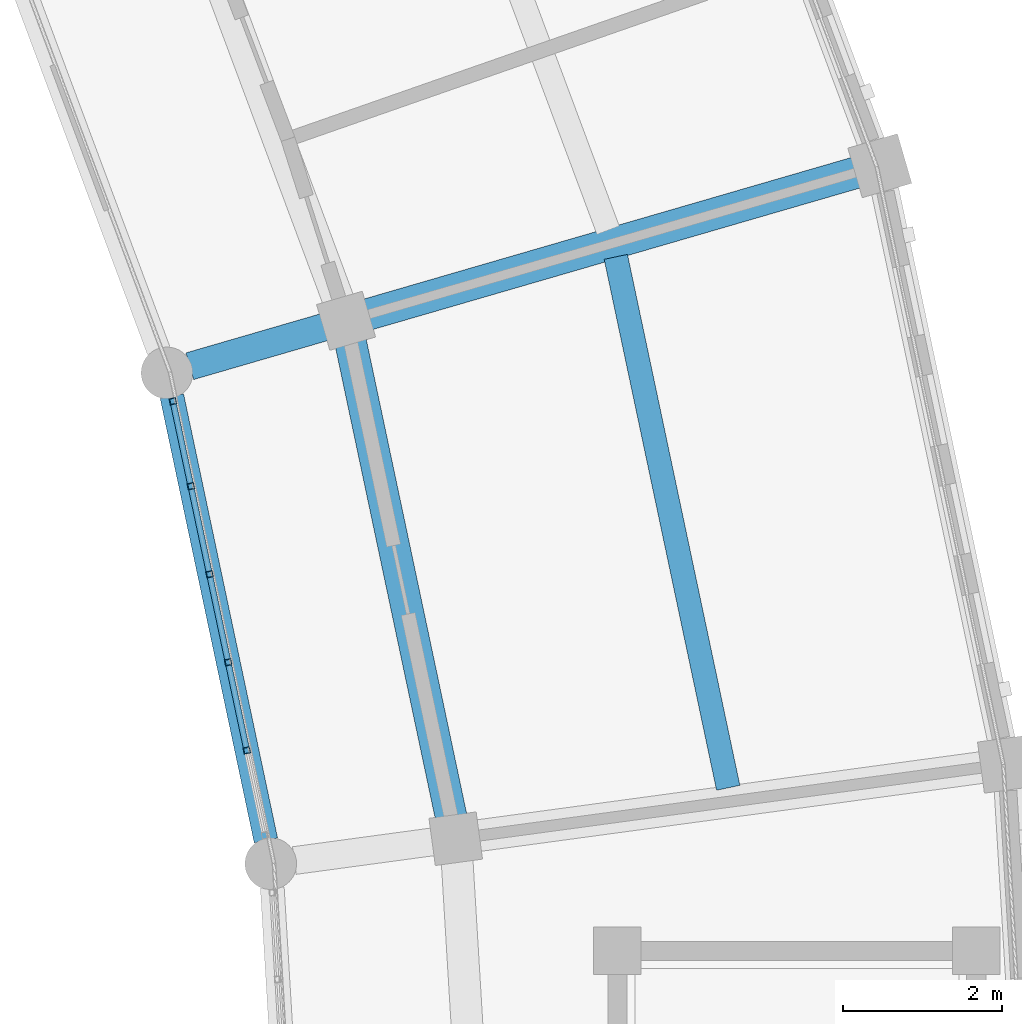
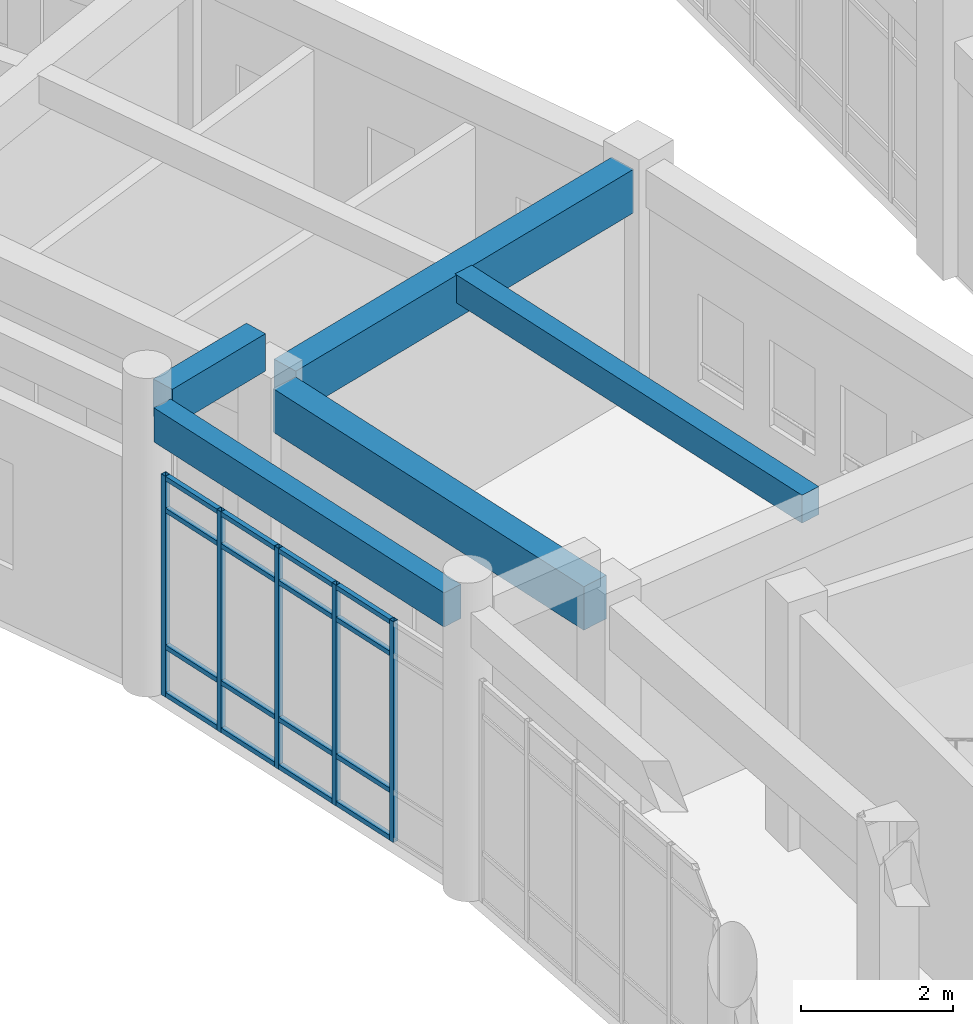
# One storey, part 89 of 159: 21 members, 5 beams, 1 element without a shape of its own.
"""IFC4 building model written with IfcOpenShell, lengths in metres."""

from ifc_helpers import new_model, si_unit, direction, frame, origin, origin_2d, place, context, subcontext, project, spatial, rectangle, hollow_rectangle, extrude, material, material_profile, profile_set, type_object, element, aggregate, save


model = new_model("IFC4")

# Units and contexts
model_context = context("Model", 3, precision=1e-05, world=origin(), true_north=direction((0.0, 1.0)))
body_context = subcontext(model_context, "Body", "Model", "MODEL_VIEW")
ifc_project = project(units=[si_unit("LENGTHUNIT", "METRE"), si_unit("AREAUNIT", "SQUARE_METRE"), si_unit("VOLUMEUNIT", "CUBIC_METRE"), si_unit("PLANEANGLEUNIT", "RADIAN"), si_unit("MASSUNIT", "GRAM", prefix="KILO")], contexts=[model_context])

# Site, building, storey
site_placement = place(None, origin())
site = spatial("IfcSite", under=ifc_project, at=site_placement, CompositionType="ELEMENT")
building_placement = place(site_placement, origin())
building = spatial("IfcBuilding", under=site, at=building_placement, Name="Celadon Cloister-Ring School", CompositionType="ELEMENT")
storey_placement = place(building_placement, frame((0.0, 0.0, 4.5)))
storey = spatial("IfcBuildingStorey", under=building, at=storey_placement, Name="L01", CompositionType="ELEMENT", Elevation=4.5)

# Beam
ifc_material_1 = material(Name="Concrete C35/45", Category="concrete")
ifc_material_profile_1 = material_profile(ifc_material_1, rectangle(XDim=0.35009765625, YDim=0.60009765625, at=origin_2d()), Name="RC350X600")
ifc_profile_set_1 = profile_set([ifc_material_profile_1], Name="Concrete C35/45")
beam_type_1 = type_object("IfcBeamType", Name="BT-02", PredefinedType="BEAM", material=ifc_profile_set_1)
beam_1_placement = place(storey_placement, frame((129.948974609375, 71.47802734375, 4.35009765625), z_axis=(-0.960278457091, -0.279043517836, 0.0), x_axis=(0.279043517836, -0.960278457091, 0.0)))
element("IfcBeam", 1, at=beam_1_placement, inside=storey, type_object=beam_type_1, Name="Beam 0256", PredefinedType="BEAM", context=body_context, shape_type="SweptSolid", body=[
    extrude(rectangle(XDim=0.35009765625, YDim=0.60009765625, at=origin_2d()), origin(), (0.0, 0.0, 1.0), 1.7744140625),
])

# Curtain wall, members
ifc_material_2 = material(Name="Aluminium EN AW-6063 T6", Category="aluminium")
curtain_wall_type = type_object("IfcCurtainWallType", Name="CW-01", PredefinedType="USERDEFINED", material=ifc_material_2)
curtain_wall_placement = place(storey_placement, origin())
curtain_wall = element("IfcCurtainWall", 2, at=curtain_wall_placement, inside=storey, type_object=curtain_wall_type, Name="Curtain Wall 0040", ObjectType="CURTAIN WALL", PredefinedType="USERDEFINED")
ifc_material_3 = material(Name="Aluminium EN AW-6063 T6", Category="aluminium")
ifc_material_profile_2 = material_profile(ifc_material_3, hollow_rectangle(XDim=0.080078125, YDim=0.080078125, WallThickness=0.00390625, at=origin_2d()), Name="RHS80X80X4")
ifc_profile_set_2 = profile_set([ifc_material_profile_2], Name="Aluminium EN AW-6063 T6")
member_type_1 = type_object("IfcMemberType", Name="CM-03", PredefinedType="MULLION", material=ifc_profile_set_2)
member_1_placement = place(storey_placement, frame((128.963134765625, 66.144287109375, 0.0), z_axis=(0.0, 0.0, 1.0), x_axis=(-0.978320844999, -0.207094964304, 0.0)))
member_1 = element("IfcMember", 3, at=member_1_placement, type_object=member_type_1, Name="CW-01 mullion 2", PredefinedType="MULLION", context=body_context, shape_type="SweptSolid", body=[
    extrude(hollow_rectangle(XDim=0.080078125, YDim=0.080078125, WallThickness=0.00390625, at=origin_2d()), origin(), (0.0, 0.0, 1.0), 3.550048828125),
])
member_2_placement = place(storey_placement, frame((128.728515625, 67.25341796875, 0.0), z_axis=(0.0, 0.0, 1.0), x_axis=(-0.978320844999, -0.207094964304, 0.0)))
member_2 = element("IfcMember", 4, at=member_2_placement, type_object=member_type_1, Name="CW-01 mullion 3", PredefinedType="MULLION", context=body_context, shape_type="SweptSolid", body=[
    extrude(hollow_rectangle(XDim=0.080078125, YDim=0.080078125, WallThickness=0.00390625, at=origin_2d()), origin(), (0.0, 0.0, 1.0), 3.550048828125),
])
member_3_placement = place(storey_placement, frame((128.49365234375, 68.362548828125, 0.0), z_axis=(0.0, 0.0, 1.0), x_axis=(-0.978320844999, -0.207094964304, 0.0)))
member_3 = element("IfcMember", 5, at=member_3_placement, type_object=member_type_1, Name="CW-01 mullion 4", PredefinedType="MULLION", context=body_context, shape_type="SweptSolid", body=[
    extrude(hollow_rectangle(XDim=0.080078125, YDim=0.080078125, WallThickness=0.00390625, at=origin_2d()), origin(), (0.0, 0.0, 1.0), 3.550048828125),
])
member_4_placement = place(storey_placement, frame((128.2587890625, 69.4716796875, 0.0), z_axis=(0.0, 0.0, 1.0), x_axis=(-0.978320844999, -0.207094964304, 0.0)))
member_4 = element("IfcMember", 6, at=member_4_placement, type_object=member_type_1, Name="CW-01 mullion 5", PredefinedType="MULLION", context=body_context, shape_type="SweptSolid", body=[
    extrude(hollow_rectangle(XDim=0.080078125, YDim=0.080078125, WallThickness=0.00390625, at=origin_2d()), origin(), (0.0, 0.0, 1.0), 3.550048828125),
])
member_5_placement = place(storey_placement, frame((128.0322265625, 70.541748046875, 0.0), z_axis=(0.0, 0.0, 1.0), x_axis=(-0.978320844999, -0.207094964304, 0.0)))
member_5 = element("IfcMember", 7, at=member_5_placement, type_object=member_type_1, Name="CW-01 mullion 6", PredefinedType="MULLION", context=body_context, shape_type="SweptSolid", body=[
    extrude(hollow_rectangle(XDim=0.080078125, YDim=0.080078125, WallThickness=0.00390625, at=origin_2d()), origin(), (0.0, 0.0, 1.0), 3.550048828125),
])
ifc_material_4 = material(Name="Aluminium EN AW-6063 T6", Category="aluminium")
ifc_material_profile_3 = material_profile(ifc_material_4, hollow_rectangle(XDim=0.074951171875, YDim=0.074951171875, WallThickness=0.00390625, at=origin_2d()), Name="RHS75X75X4")
ifc_profile_set_3 = profile_set([ifc_material_profile_3], Name="Aluminium EN AW-6063 T6")
member_type_2 = type_object("IfcMemberType", Name="CTM-03", PredefinedType="USERDEFINED", material=ifc_profile_set_3)
member_6_placement = place(storey_placement, frame((128.954833984375, 66.183349609375, 0.03759765625), z_axis=(-0.207107837816, 0.978318119793, 0.0), x_axis=(-0.978318119793, -0.207107837816, 0.0)))
member_6 = element("IfcMember", 8, at=member_6_placement, type_object=member_type_2, Name="CW-01 transom 2.1", ObjectType="TRANSOM", PredefinedType="USERDEFINED", context=body_context, shape_type="SweptSolid", body=[
    extrude(hollow_rectangle(XDim=0.074951171875, YDim=0.074951171875, WallThickness=0.00390625, at=origin_2d()), origin(), (0.0, 0.0, 1.0), 1.053955078125),
])
member_7_placement = place(storey_placement, frame((128.954833984375, 66.183349609375, 0.800048828125), z_axis=(-0.207107837816, 0.978318119793, 0.0), x_axis=(-0.978318119793, -0.207107837816, 0.0)))
member_7 = element("IfcMember", 9, at=member_7_placement, type_object=member_type_2, Name="CW-01 transom 2.2", ObjectType="TRANSOM", PredefinedType="USERDEFINED", context=body_context, shape_type="SweptSolid", body=[
    extrude(hollow_rectangle(XDim=0.074951171875, YDim=0.074951171875, WallThickness=0.00390625, at=origin_2d()), origin(), (0.0, 0.0, 1.0), 1.053955078125),
])
member_8_placement = place(storey_placement, frame((128.954833984375, 66.183349609375, 3.0), z_axis=(-0.207107837816, 0.978318119793, 0.0), x_axis=(-0.978318119793, -0.207107837816, 0.0)))
member_8 = element("IfcMember", 10, at=member_8_placement, type_object=member_type_2, Name="CW-01 transom 2.3", ObjectType="TRANSOM", PredefinedType="USERDEFINED", context=body_context, shape_type="SweptSolid", body=[
    extrude(hollow_rectangle(XDim=0.074951171875, YDim=0.074951171875, WallThickness=0.00390625, at=origin_2d()), origin(), (0.0, 0.0, 1.0), 1.053955078125),
])
member_9_placement = place(storey_placement, frame((128.954833984375, 66.183349609375, 3.512451171875), z_axis=(-0.207107837816, 0.978318119793, 0.0), x_axis=(-0.978318119793, -0.207107837816, 0.0)))
member_9 = element("IfcMember", 11, at=member_9_placement, type_object=member_type_2, Name="CW-01 transom 2.4", ObjectType="TRANSOM", PredefinedType="USERDEFINED", context=body_context, shape_type="SweptSolid", body=[
    extrude(hollow_rectangle(XDim=0.074951171875, YDim=0.074951171875, WallThickness=0.00390625, at=origin_2d()), origin(), (0.0, 0.0, 1.0), 1.053955078125),
])
member_10_placement = place(storey_placement, frame((128.72021484375, 67.29248046875, 0.03759765625), z_axis=(-0.207107837816, 0.978318119793, 0.0), x_axis=(-0.978318119793, -0.207107837816, 0.0)))
member_10 = element("IfcMember", 12, at=member_10_placement, type_object=member_type_2, Name="CW-01 transom 3.1", ObjectType="TRANSOM", PredefinedType="USERDEFINED", context=body_context, shape_type="SweptSolid", body=[
    extrude(hollow_rectangle(XDim=0.074951171875, YDim=0.074951171875, WallThickness=0.00390625, at=origin_2d()), origin(), (0.0, 0.0, 1.0), 1.053955078125),
])
member_11_placement = place(storey_placement, frame((128.72021484375, 67.29248046875, 0.800048828125), z_axis=(-0.207107837816, 0.978318119793, 0.0), x_axis=(-0.978318119793, -0.207107837816, 0.0)))
member_11 = element("IfcMember", 13, at=member_11_placement, type_object=member_type_2, Name="CW-01 transom 3.2", ObjectType="TRANSOM", PredefinedType="USERDEFINED", context=body_context, shape_type="SweptSolid", body=[
    extrude(hollow_rectangle(XDim=0.074951171875, YDim=0.074951171875, WallThickness=0.00390625, at=origin_2d()), origin(), (0.0, 0.0, 1.0), 1.053955078125),
])
member_12_placement = place(storey_placement, frame((128.72021484375, 67.29248046875, 3.0), z_axis=(-0.207107837816, 0.978318119793, 0.0), x_axis=(-0.978318119793, -0.207107837816, 0.0)))
member_12 = element("IfcMember", 14, at=member_12_placement, type_object=member_type_2, Name="CW-01 transom 3.3", ObjectType="TRANSOM", PredefinedType="USERDEFINED", context=body_context, shape_type="SweptSolid", body=[
    extrude(hollow_rectangle(XDim=0.074951171875, YDim=0.074951171875, WallThickness=0.00390625, at=origin_2d()), origin(), (0.0, 0.0, 1.0), 1.053955078125),
])
member_13_placement = place(storey_placement, frame((128.72021484375, 67.29248046875, 3.512451171875), z_axis=(-0.207107837816, 0.978318119793, 0.0), x_axis=(-0.978318119793, -0.207107837816, 0.0)))
member_13 = element("IfcMember", 15, at=member_13_placement, type_object=member_type_2, Name="CW-01 transom 3.4", ObjectType="TRANSOM", PredefinedType="USERDEFINED", context=body_context, shape_type="SweptSolid", body=[
    extrude(hollow_rectangle(XDim=0.074951171875, YDim=0.074951171875, WallThickness=0.00390625, at=origin_2d()), origin(), (0.0, 0.0, 1.0), 1.053955078125),
])
member_14_placement = place(storey_placement, frame((128.4853515625, 68.401611328125, 0.03759765625), z_axis=(-0.207107837816, 0.978318119793, 0.0), x_axis=(-0.978318119793, -0.207107837816, 0.0)))
member_14 = element("IfcMember", 16, at=member_14_placement, type_object=member_type_2, Name="CW-01 transom 4.1", ObjectType="TRANSOM", PredefinedType="USERDEFINED", context=body_context, shape_type="SweptSolid", body=[
    extrude(hollow_rectangle(XDim=0.074951171875, YDim=0.074951171875, WallThickness=0.00390625, at=origin_2d()), origin(), (0.0, 0.0, 1.0), 1.053955078125),
])
member_15_placement = place(storey_placement, frame((128.4853515625, 68.401611328125, 0.800048828125), z_axis=(-0.207107837816, 0.978318119793, 0.0), x_axis=(-0.978318119793, -0.207107837816, 0.0)))
member_15 = element("IfcMember", 17, at=member_15_placement, type_object=member_type_2, Name="CW-01 transom 4.2", ObjectType="TRANSOM", PredefinedType="USERDEFINED", context=body_context, shape_type="SweptSolid", body=[
    extrude(hollow_rectangle(XDim=0.074951171875, YDim=0.074951171875, WallThickness=0.00390625, at=origin_2d()), origin(), (0.0, 0.0, 1.0), 1.053955078125),
])
member_16_placement = place(storey_placement, frame((128.4853515625, 68.401611328125, 3.0), z_axis=(-0.207107837816, 0.978318119793, 0.0), x_axis=(-0.978318119793, -0.207107837816, 0.0)))
member_16 = element("IfcMember", 18, at=member_16_placement, type_object=member_type_2, Name="CW-01 transom 4.3", ObjectType="TRANSOM", PredefinedType="USERDEFINED", context=body_context, shape_type="SweptSolid", body=[
    extrude(hollow_rectangle(XDim=0.074951171875, YDim=0.074951171875, WallThickness=0.00390625, at=origin_2d()), origin(), (0.0, 0.0, 1.0), 1.053955078125),
])
member_17_placement = place(storey_placement, frame((128.4853515625, 68.401611328125, 3.512451171875), z_axis=(-0.207107837816, 0.978318119793, 0.0), x_axis=(-0.978318119793, -0.207107837816, 0.0)))
member_17 = element("IfcMember", 19, at=member_17_placement, type_object=member_type_2, Name="CW-01 transom 4.4", ObjectType="TRANSOM", PredefinedType="USERDEFINED", context=body_context, shape_type="SweptSolid", body=[
    extrude(hollow_rectangle(XDim=0.074951171875, YDim=0.074951171875, WallThickness=0.00390625, at=origin_2d()), origin(), (0.0, 0.0, 1.0), 1.053955078125),
])
member_18_placement = place(storey_placement, frame((128.25048828125, 69.510986328125, 0.03759765625), z_axis=(-0.20712705188, 0.97831405202, 0.0), x_axis=(-0.97831405202, -0.20712705188, 0.0)))
member_18 = element("IfcMember", 20, at=member_18_placement, type_object=member_type_2, Name="CW-01 transom 5.1", ObjectType="TRANSOM", PredefinedType="USERDEFINED", context=body_context, shape_type="SweptSolid", body=[
    extrude(hollow_rectangle(XDim=0.074951171875, YDim=0.074951171875, WallThickness=0.00390625, at=origin_2d()), origin(), (0.0, 0.0, 1.0), 1.013671875),
])
member_19_placement = place(storey_placement, frame((128.25048828125, 69.510986328125, 0.800048828125), z_axis=(-0.20712705188, 0.97831405202, 0.0), x_axis=(-0.97831405202, -0.20712705188, 0.0)))
member_19 = element("IfcMember", 21, at=member_19_placement, type_object=member_type_2, Name="CW-01 transom 5.2", ObjectType="TRANSOM", PredefinedType="USERDEFINED", context=body_context, shape_type="SweptSolid", body=[
    extrude(hollow_rectangle(XDim=0.074951171875, YDim=0.074951171875, WallThickness=0.00390625, at=origin_2d()), origin(), (0.0, 0.0, 1.0), 1.013671875),
])
member_20_placement = place(storey_placement, frame((128.25048828125, 69.510986328125, 3.0), z_axis=(-0.20712705188, 0.97831405202, 0.0), x_axis=(-0.97831405202, -0.20712705188, 0.0)))
member_20 = element("IfcMember", 22, at=member_20_placement, type_object=member_type_2, Name="CW-01 transom 5.3", ObjectType="TRANSOM", PredefinedType="USERDEFINED", context=body_context, shape_type="SweptSolid", body=[
    extrude(hollow_rectangle(XDim=0.074951171875, YDim=0.074951171875, WallThickness=0.00390625, at=origin_2d()), origin(), (0.0, 0.0, 1.0), 1.013671875),
])
member_21_placement = place(storey_placement, frame((128.25048828125, 69.510986328125, 3.512451171875), z_axis=(-0.20712705188, 0.97831405202, 0.0), x_axis=(-0.97831405202, -0.20712705188, 0.0)))
member_21 = element("IfcMember", 23, at=member_21_placement, type_object=member_type_2, Name="CW-01 transom 5.4", ObjectType="TRANSOM", PredefinedType="USERDEFINED", context=body_context, shape_type="SweptSolid", body=[
    extrude(hollow_rectangle(XDim=0.074951171875, YDim=0.074951171875, WallThickness=0.00390625, at=origin_2d()), origin(), (0.0, 0.0, 1.0), 1.013671875),
])
aggregate(curtain_wall, [member_1, member_2, member_3, member_4, member_5, member_6, member_7, member_8, member_9, member_10, member_11, member_12, member_13, member_14, member_15, member_16, member_17, member_18, member_19, member_20, member_21])

# Beams
ifc_material_5 = material(Name="Concrete C35/45", Category="concrete")
ifc_material_profile_4 = material_profile(ifc_material_5, rectangle(XDim=0.39990234375, YDim=0.699951171875, at=origin_2d()), Name="RC400X700")
ifc_profile_set_4 = profile_set([ifc_material_profile_4], Name="Concrete C35/45")
beam_type_2 = type_object("IfcBeamType", Name="GT-03", PredefinedType="USERDEFINED", material=ifc_profile_set_4)
beam_2_placement = place(storey_placement, frame((136.64697265625, 73.424072265625, 3.429931640625), z_axis=(-0.960316025972, -0.278914198743, 0.0), x_axis=(0.278914198743, -0.960316025972, 0.0)))
element("IfcBeam", 24, at=beam_2_placement, inside=storey, type_object=beam_type_2, Name="Beam 0255", ObjectType="GIRDER", PredefinedType="USERDEFINED", context=body_context, shape_type="SweptSolid", body=[
    extrude(rectangle(XDim=0.39990234375, YDim=0.699951171875, at=origin_2d()), origin(), (0.0, 0.0, 1.0), 6.4248046875),
])
beam_3_placement = place(storey_placement, frame((131.537109375, 65.301025390625, 3.429931640625), z_axis=(-0.207124607017, 0.978314569639, 0.0), x_axis=(-0.978314569639, -0.207124607017, 0.0)))
element("IfcBeam", 25, at=beam_3_placement, inside=storey, type_object=beam_type_2, Name="Beam 0374", ObjectType="GIRDER", PredefinedType="USERDEFINED", context=body_context, shape_type="SweptSolid", body=[
    extrude(rectangle(XDim=0.39990234375, YDim=0.699951171875, at=origin_2d()), origin(), (0.0, 0.0, 1.0), 6.117431640625),
])
ifc_material_6 = material(Name="Concrete C35/45", Category="concrete")
ifc_material_profile_5 = material_profile(ifc_material_6, rectangle(XDim=0.300048828125, YDim=0.449951171875, at=origin_2d()), Name="RC300X450")
ifc_profile_set_5 = profile_set([ifc_material_profile_5], Name="Concrete C35/45")
beam_type_3 = type_object("IfcBeamType", Name="JT-01", PredefinedType="JOIST", material=ifc_profile_set_5)
beam_4_placement = place(storey_placement, frame((135.02587890625, 65.673095703125, 3.554931640625), z_axis=(-0.20712821328, 0.978313806129, 0.0), x_axis=(-0.978313806129, -0.20712821328, 0.0)))
element("IfcBeam", 26, at=beam_4_placement, inside=storey, type_object=beam_type_3, Name="Beam 0376", PredefinedType="JOIST", context=body_context, shape_type="SweptSolid", body=[
    extrude(rectangle(XDim=0.300048828125, YDim=0.449951171875, at=origin_2d()), origin(), (0.0, 0.0, 1.0), 6.835205078125),
])
ifc_material_7 = material(Name="Concrete C35/45", Category="concrete")
ifc_material_profile_6 = material_profile(ifc_material_7, rectangle(XDim=0.300048828125, YDim=0.550048828125, at=origin_2d()), Name="RC300X550")
ifc_profile_set_6 = profile_set([ifc_material_profile_6], Name="Concrete C35/45")
beam_type_4 = type_object("IfcBeamType", Name="SP-02", PredefinedType="SPANDREL", material=ifc_profile_set_6)
beam_5_placement = place(storey_placement, frame((129.202880859375, 65.010986328125, 4.375), z_axis=(-0.207041113991, 0.978332242706, 0.0), x_axis=(-0.978332242706, -0.207041113991, 0.0)))
element("IfcBeam", 27, at=beam_5_placement, inside=storey, type_object=beam_type_4, Name="Beam 0375", PredefinedType="SPANDREL", context=body_context, shape_type="SweptSolid", body=[
    extrude(rectangle(XDim=0.300048828125, YDim=0.550048828125, at=origin_2d()), origin(), (0.0, 0.0, 1.0), 5.7177734375),
])

save(model, "model.ifc")
